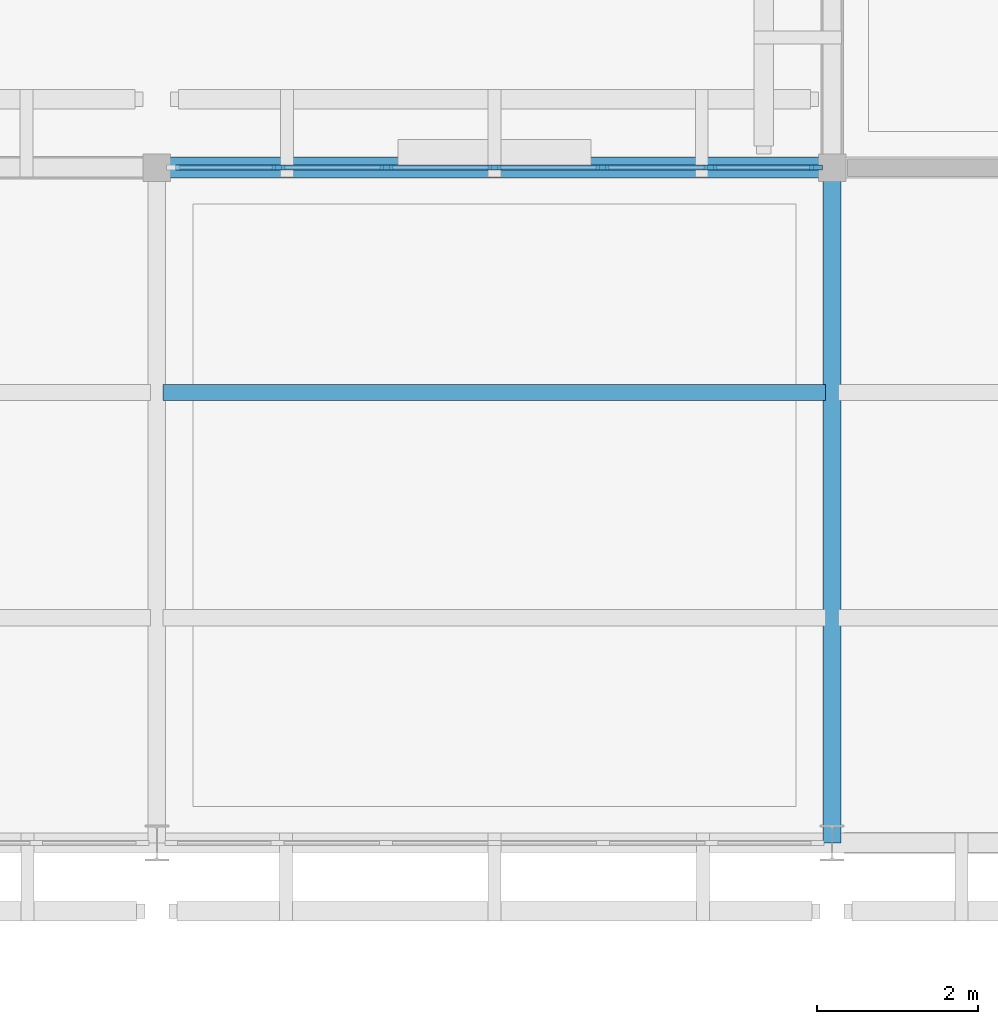
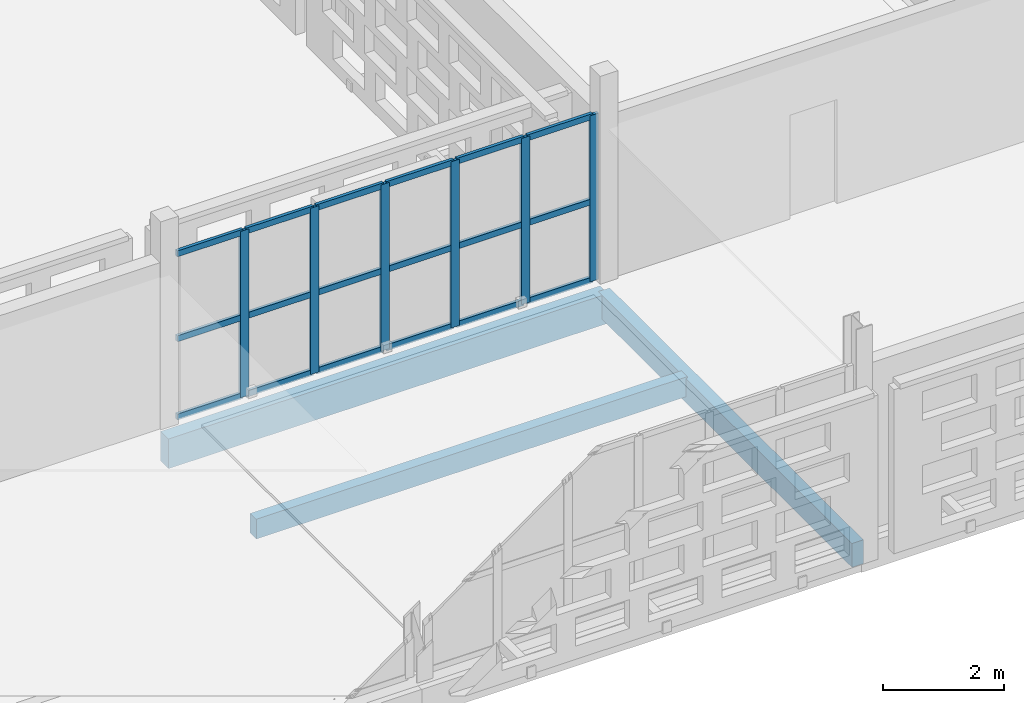
# One storey, part 57 of 140: 24 members, 3 beams, 1 element without a shape of its own.
"""IFC4 building model written with IfcOpenShell, lengths in metres."""

from ifc_helpers import new_model, si_unit, direction, frame, origin, origin_2d, place, context, subcontext, project, spatial, rectangle, extrude, material, layer, layer_set, material_profile, profile_set, type_object, element, aggregate, save


model = new_model("IFC4")

# Units and contexts
model_context = context("Model", 3, precision=1e-05, world=origin(), true_north=direction((0.0, 1.0)))
body_context = subcontext(model_context, "Body", "Model", "MODEL_VIEW")
ifc_project = project(units=[si_unit("LENGTHUNIT", "METRE"), si_unit("AREAUNIT", "SQUARE_METRE"), si_unit("VOLUMEUNIT", "CUBIC_METRE"), si_unit("PLANEANGLEUNIT", "RADIAN"), si_unit("MASSUNIT", "GRAM", prefix="KILO")], contexts=[model_context])

# Site, building, storey
site_placement = place(None, origin())
site = spatial("IfcSite", under=ifc_project, at=site_placement, CompositionType="ELEMENT")
building_placement = place(site_placement, origin())
building = spatial("IfcBuilding", under=site, at=building_placement, Name="Varnapada Polytechnic", CompositionType="ELEMENT")
storey_placement = place(building_placement, frame((0.0, 0.0, 13.800048828125)))
storey = spatial("IfcBuildingStorey", under=building, at=storey_placement, Name="L03", CompositionType="ELEMENT", Elevation=13.800048828125)

# Beam
ifc_material_1 = material(Name="Glulam GL32h", Category="wood")
ifc_material_profile_1 = material_profile(ifc_material_1, rectangle(XDim=0.199951171875, YDim=0.39990234375, at=origin_2d()), Name="GL 200x400")
ifc_profile_set_1 = profile_set([ifc_material_profile_1], Name="Glulam GL32h")
beam_type_1 = type_object("IfcBeamType", Name="Library/laboratory glulam floor joist GJ-01 (GL 200x400)", PredefinedType="JOIST", material=ifc_profile_set_1)
beam_1_placement = place(storey_placement, frame((117.679931640625, 89.60009765625, -0.43994140625), z_axis=(1.0, 0.0, 0.0), x_axis=(0.0, 1.0, 0.0)))
element("IfcBeam", 1, at=beam_1_placement, inside=storey, type_object=beam_type_1, Name="L03 floor joist 15/11.2", PredefinedType="JOIST", context=body_context, shape_type="SweptSolid", body=[
    extrude(rectangle(XDim=0.199951171875, YDim=0.39990234375, at=origin_2d()), origin(), (0.0, 0.0, 1.0), 8.239990234375),
])

# Curtain wall, members
ifc_material_2 = material(Name="Double low-E laminated glass", Category="glass")
ifc_layer = layer(ifc_material_2, 0.159912109375)
ifc_layer_set = layer_set([ifc_layer], Name="Double low-E laminated glass")
curtain_wall_type = type_object("IfcCurtainWallType", Name="Curtain Wall CW-02", PredefinedType="NOTDEFINED", material=ifc_layer_set)
curtain_wall_placement = place(storey_placement, origin())
curtain_wall = element("IfcCurtainWall", 2, at=curtain_wall_placement, inside=storey, type_object=curtain_wall_type, Name="L03 unitised curtain wall CW-02 (245)", PredefinedType="NOTDEFINED")
ifc_material_3 = material(Name="Anodised aluminium", Category="aluminium")
ifc_material_profile_2 = material_profile(ifc_material_3, rectangle(XDim=0.06005859375, YDim=0.159912109375, at=origin_2d()), Name="ALU M60x160")
ifc_profile_set_2 = profile_set([ifc_material_profile_2], Name="Anodised aluminium")
member_type_1 = type_object("IfcMemberType", Name="Mullion M-01", PredefinedType="MULLION", material=ifc_profile_set_2)
member_1_placement = place(storey_placement, frame((119.11328125, 92.39990234375, 0.0), z_axis=(0.0, 0.0, 1.0), x_axis=(0.0, 1.0, 0.0)))
member_1 = element("IfcMember", 3, at=member_1_placement, type_object=member_type_1, Name="CW-02 mullion 2", PredefinedType="MULLION", context=body_context, shape_type="SweptSolid", body=[
    extrude(rectangle(XDim=0.06005859375, YDim=0.159912109375, at=origin_2d()), origin(), (0.0, 0.0, 1.0), 3.35986328125),
])
member_2_placement = place(storey_placement, frame((120.456787109375, 92.39990234375, 0.0), z_axis=(0.0, 0.0, 1.0), x_axis=(0.0, 1.0, 0.0)))
member_2 = element("IfcMember", 4, at=member_2_placement, type_object=member_type_1, Name="CW-02 mullion 3", PredefinedType="MULLION", context=body_context, shape_type="SweptSolid", body=[
    extrude(rectangle(XDim=0.06005859375, YDim=0.159912109375, at=origin_2d()), origin(), (0.0, 0.0, 1.0), 3.35986328125),
])
member_3_placement = place(storey_placement, frame((121.800048828125, 92.39990234375, 0.0), z_axis=(0.0, 0.0, 1.0), x_axis=(0.0, 1.0, 0.0)))
member_3 = element("IfcMember", 5, at=member_3_placement, type_object=member_type_1, Name="CW-02 mullion 4", PredefinedType="MULLION", context=body_context, shape_type="SweptSolid", body=[
    extrude(rectangle(XDim=0.06005859375, YDim=0.159912109375, at=origin_2d()), origin(), (0.0, 0.0, 1.0), 3.35986328125),
])
member_4_placement = place(storey_placement, frame((123.143310546875, 92.39990234375, 0.0), z_axis=(0.0, 0.0, 1.0), x_axis=(0.0, 1.0, 0.0)))
member_4 = element("IfcMember", 6, at=member_4_placement, type_object=member_type_1, Name="CW-02 mullion 5", PredefinedType="MULLION", context=body_context, shape_type="SweptSolid", body=[
    extrude(rectangle(XDim=0.06005859375, YDim=0.159912109375, at=origin_2d()), origin(), (0.0, 0.0, 1.0), 3.35986328125),
])
member_5_placement = place(storey_placement, frame((124.486572265625, 92.39990234375, 0.0), z_axis=(0.0, 0.0, 1.0), x_axis=(0.0, 1.0, 0.0)))
member_5 = element("IfcMember", 7, at=member_5_placement, type_object=member_type_1, Name="CW-02 mullion 6", PredefinedType="MULLION", context=body_context, shape_type="SweptSolid", body=[
    extrude(rectangle(XDim=0.06005859375, YDim=0.159912109375, at=origin_2d()), origin(), (0.0, 0.0, 1.0), 3.35986328125),
])
member_6_placement = place(storey_placement, frame((125.800048828125, 92.39990234375, 0.0), z_axis=(0.0, 0.0, 1.0), x_axis=(0.0, 1.0, 0.0)))
member_6 = element("IfcMember", 8, at=member_6_placement, type_object=member_type_1, Name="CW-02 mullion 7", PredefinedType="MULLION", context=body_context, shape_type="SweptSolid", body=[
    extrude(rectangle(XDim=0.06005859375, YDim=0.159912109375, at=origin_2d()), origin(), (0.0, 0.0, 1.0), 3.35986328125),
])

# Beam
ifc_material_profile_3 = material_profile(ifc_material_1, rectangle(XDim=0.260009765625, YDim=0.60009765625, at=origin_2d()), Name="GL 260x600")
ifc_profile_set_3 = profile_set([ifc_material_profile_3], Name="Glulam GL32h")
beam_type_2 = type_object("IfcBeamType", Name="Seminar wing glulam girder GG-05 (GL 260x600)", PredefinedType="BEAM", material=ifc_profile_set_3)
beam_2_placement = place(storey_placement, frame((117.60009765625, 92.39990234375, -0.570068359375), z_axis=(1.0, 0.0, 0.0), x_axis=(0.0, 1.0, 0.0)))
element("IfcBeam", 9, at=beam_2_placement, inside=storey, type_object=beam_type_2, Name="L03 beam X 15-16 at Y12", PredefinedType="BEAM", context=body_context, shape_type="SweptSolid", body=[
    extrude(rectangle(XDim=0.260009765625, YDim=0.60009765625, at=origin_2d()), origin(), (0.0, 0.0, 1.0), 8.39990234375),
])

# Member
ifc_material_profile_4 = material_profile(ifc_material_3, rectangle(XDim=0.06005859375, YDim=0.1201171875, at=origin_2d()), Name="ALU T60x120")
ifc_profile_set_4 = profile_set([ifc_material_profile_4], Name="Anodised aluminium")
member_type_2 = type_object("IfcMemberType", Name="Transom T-01", PredefinedType="USERDEFINED", material=ifc_profile_set_4)
member_7_placement = place(storey_placement, frame((117.830078125, 92.39990234375, 0.030029296875), z_axis=(1.0, 0.0, 0.0), x_axis=(0.0, 1.0, 0.0)))
member_7 = element("IfcMember", 10, at=member_7_placement, type_object=member_type_2, Name="CW-02 transom 1.1", ObjectType="TRANSOM", PredefinedType="USERDEFINED", context=body_context, shape_type="SweptSolid", body=[
    extrude(rectangle(XDim=0.06005859375, YDim=0.1201171875, at=origin_2d()), origin(), (0.0, 0.0, 1.0), 1.253173828125),
])

member_8_placement = place(storey_placement, frame((117.830078125, 92.39990234375, 1.61279296875), z_axis=(1.0, 0.0, 0.0), x_axis=(0.0, 1.0, 0.0)))
member_8 = element("IfcMember", 11, at=member_8_placement, type_object=member_type_2, Name="CW-02 transom 1.2", ObjectType="TRANSOM", PredefinedType="USERDEFINED", context=body_context, shape_type="SweptSolid", body=[
    extrude(rectangle(XDim=0.06005859375, YDim=0.1201171875, at=origin_2d()), origin(), (0.0, 0.0, 1.0), 1.253173828125),
])

member_9_placement = place(storey_placement, frame((117.830078125, 92.39990234375, 3.329833984375), z_axis=(1.0, 0.0, 0.0), x_axis=(0.0, 1.0, 0.0)))
member_9 = element("IfcMember", 12, at=member_9_placement, type_object=member_type_2, Name="CW-02 transom 1.3", ObjectType="TRANSOM", PredefinedType="USERDEFINED", context=body_context, shape_type="SweptSolid", body=[
    extrude(rectangle(XDim=0.06005859375, YDim=0.1201171875, at=origin_2d()), origin(), (0.0, 0.0, 1.0), 1.253173828125),
])

member_10_placement = place(storey_placement, frame((119.143310546875, 92.39990234375, 0.030029296875), z_axis=(1.0, 0.0, 0.0), x_axis=(0.0, 1.0, 0.0)))
member_10 = element("IfcMember", 13, at=member_10_placement, type_object=member_type_2, Name="CW-02 transom 2.1", ObjectType="TRANSOM", PredefinedType="USERDEFINED", context=body_context, shape_type="SweptSolid", body=[
    extrude(rectangle(XDim=0.06005859375, YDim=0.1201171875, at=origin_2d()), origin(), (0.0, 0.0, 1.0), 1.283447265625),
])

member_11_placement = place(storey_placement, frame((119.143310546875, 92.39990234375, 1.61279296875), z_axis=(1.0, 0.0, 0.0), x_axis=(0.0, 1.0, 0.0)))
member_11 = element("IfcMember", 14, at=member_11_placement, type_object=member_type_2, Name="CW-02 transom 2.2", ObjectType="TRANSOM", PredefinedType="USERDEFINED", context=body_context, shape_type="SweptSolid", body=[
    extrude(rectangle(XDim=0.06005859375, YDim=0.1201171875, at=origin_2d()), origin(), (0.0, 0.0, 1.0), 1.283447265625),
])

member_12_placement = place(storey_placement, frame((119.143310546875, 92.39990234375, 3.329833984375), z_axis=(1.0, 0.0, 0.0), x_axis=(0.0, 1.0, 0.0)))
member_12 = element("IfcMember", 15, at=member_12_placement, type_object=member_type_2, Name="CW-02 transom 2.3", ObjectType="TRANSOM", PredefinedType="USERDEFINED", context=body_context, shape_type="SweptSolid", body=[
    extrude(rectangle(XDim=0.06005859375, YDim=0.1201171875, at=origin_2d()), origin(), (0.0, 0.0, 1.0), 1.283447265625),
])

member_13_placement = place(storey_placement, frame((120.486572265625, 92.39990234375, 0.030029296875), z_axis=(1.0, 0.0, 0.0), x_axis=(0.0, 1.0, 0.0)))
member_13 = element("IfcMember", 16, at=member_13_placement, type_object=member_type_2, Name="CW-02 transom 3.1", ObjectType="TRANSOM", PredefinedType="USERDEFINED", context=body_context, shape_type="SweptSolid", body=[
    extrude(rectangle(XDim=0.06005859375, YDim=0.1201171875, at=origin_2d()), origin(), (0.0, 0.0, 1.0), 1.283447265625),
])

member_14_placement = place(storey_placement, frame((120.486572265625, 92.39990234375, 1.61279296875), z_axis=(1.0, 0.0, 0.0), x_axis=(0.0, 1.0, 0.0)))
member_14 = element("IfcMember", 17, at=member_14_placement, type_object=member_type_2, Name="CW-02 transom 3.2", ObjectType="TRANSOM", PredefinedType="USERDEFINED", context=body_context, shape_type="SweptSolid", body=[
    extrude(rectangle(XDim=0.06005859375, YDim=0.1201171875, at=origin_2d()), origin(), (0.0, 0.0, 1.0), 1.283447265625),
])

member_15_placement = place(storey_placement, frame((120.486572265625, 92.39990234375, 3.329833984375), z_axis=(1.0, 0.0, 0.0), x_axis=(0.0, 1.0, 0.0)))
member_15 = element("IfcMember", 18, at=member_15_placement, type_object=member_type_2, Name="CW-02 transom 3.3", ObjectType="TRANSOM", PredefinedType="USERDEFINED", context=body_context, shape_type="SweptSolid", body=[
    extrude(rectangle(XDim=0.06005859375, YDim=0.1201171875, at=origin_2d()), origin(), (0.0, 0.0, 1.0), 1.283447265625),
])

member_16_placement = place(storey_placement, frame((121.830078125, 92.39990234375, 0.030029296875), z_axis=(1.0, 0.0, 0.0), x_axis=(0.0, 1.0, 0.0)))
member_16 = element("IfcMember", 19, at=member_16_placement, type_object=member_type_2, Name="CW-02 transom 4.1", ObjectType="TRANSOM", PredefinedType="USERDEFINED", context=body_context, shape_type="SweptSolid", body=[
    extrude(rectangle(XDim=0.06005859375, YDim=0.1201171875, at=origin_2d()), origin(), (0.0, 0.0, 1.0), 1.283203125),
])

member_17_placement = place(storey_placement, frame((121.830078125, 92.39990234375, 1.61279296875), z_axis=(1.0, 0.0, 0.0), x_axis=(0.0, 1.0, 0.0)))
member_17 = element("IfcMember", 20, at=member_17_placement, type_object=member_type_2, Name="CW-02 transom 4.2", ObjectType="TRANSOM", PredefinedType="USERDEFINED", context=body_context, shape_type="SweptSolid", body=[
    extrude(rectangle(XDim=0.06005859375, YDim=0.1201171875, at=origin_2d()), origin(), (0.0, 0.0, 1.0), 1.283203125),
])

member_18_placement = place(storey_placement, frame((121.830078125, 92.39990234375, 3.329833984375), z_axis=(1.0, 0.0, 0.0), x_axis=(0.0, 1.0, 0.0)))
member_18 = element("IfcMember", 21, at=member_18_placement, type_object=member_type_2, Name="CW-02 transom 4.3", ObjectType="TRANSOM", PredefinedType="USERDEFINED", context=body_context, shape_type="SweptSolid", body=[
    extrude(rectangle(XDim=0.06005859375, YDim=0.1201171875, at=origin_2d()), origin(), (0.0, 0.0, 1.0), 1.283203125),
])

member_19_placement = place(storey_placement, frame((123.17333984375, 92.39990234375, 0.030029296875), z_axis=(1.0, 0.0, 0.0), x_axis=(0.0, 1.0, 0.0)))
member_19 = element("IfcMember", 22, at=member_19_placement, type_object=member_type_2, Name="CW-02 transom 5.1", ObjectType="TRANSOM", PredefinedType="USERDEFINED", context=body_context, shape_type="SweptSolid", body=[
    extrude(rectangle(XDim=0.06005859375, YDim=0.1201171875, at=origin_2d()), origin(), (0.0, 0.0, 1.0), 1.283447265625),
])

member_20_placement = place(storey_placement, frame((123.17333984375, 92.39990234375, 1.61279296875), z_axis=(1.0, 0.0, 0.0), x_axis=(0.0, 1.0, 0.0)))
member_20 = element("IfcMember", 23, at=member_20_placement, type_object=member_type_2, Name="CW-02 transom 5.2", ObjectType="TRANSOM", PredefinedType="USERDEFINED", context=body_context, shape_type="SweptSolid", body=[
    extrude(rectangle(XDim=0.06005859375, YDim=0.1201171875, at=origin_2d()), origin(), (0.0, 0.0, 1.0), 1.283447265625),
])

member_21_placement = place(storey_placement, frame((123.17333984375, 92.39990234375, 3.329833984375), z_axis=(1.0, 0.0, 0.0), x_axis=(0.0, 1.0, 0.0)))
member_21 = element("IfcMember", 24, at=member_21_placement, type_object=member_type_2, Name="CW-02 transom 5.3", ObjectType="TRANSOM", PredefinedType="USERDEFINED", context=body_context, shape_type="SweptSolid", body=[
    extrude(rectangle(XDim=0.06005859375, YDim=0.1201171875, at=origin_2d()), origin(), (0.0, 0.0, 1.0), 1.283447265625),
])

member_22_placement = place(storey_placement, frame((124.5166015625, 92.39990234375, 0.030029296875), z_axis=(1.0, 0.0, 0.0), x_axis=(0.0, 1.0, 0.0)))
member_22 = element("IfcMember", 25, at=member_22_placement, type_object=member_type_2, Name="CW-02 transom 6.1", ObjectType="TRANSOM", PredefinedType="USERDEFINED", context=body_context, shape_type="SweptSolid", body=[
    extrude(rectangle(XDim=0.06005859375, YDim=0.1201171875, at=origin_2d()), origin(), (0.0, 0.0, 1.0), 1.25341796875),
])

member_23_placement = place(storey_placement, frame((124.5166015625, 92.39990234375, 1.61279296875), z_axis=(1.0, 0.0, 0.0), x_axis=(0.0, 1.0, 0.0)))
member_23 = element("IfcMember", 26, at=member_23_placement, type_object=member_type_2, Name="CW-02 transom 6.2", ObjectType="TRANSOM", PredefinedType="USERDEFINED", context=body_context, shape_type="SweptSolid", body=[
    extrude(rectangle(XDim=0.06005859375, YDim=0.1201171875, at=origin_2d()), origin(), (0.0, 0.0, 1.0), 1.25341796875),
])

member_24_placement = place(storey_placement, frame((124.5166015625, 92.39990234375, 3.329833984375), z_axis=(1.0, 0.0, 0.0), x_axis=(0.0, 1.0, 0.0)))
member_24 = element("IfcMember", 27, at=member_24_placement, type_object=member_type_2, Name="CW-02 transom 6.3", ObjectType="TRANSOM", PredefinedType="USERDEFINED", context=body_context, shape_type="SweptSolid", body=[
    extrude(rectangle(XDim=0.06005859375, YDim=0.1201171875, at=origin_2d()), origin(), (0.0, 0.0, 1.0), 1.25341796875),
])

aggregate(curtain_wall, [member_1, member_2, member_3, member_4, member_5, member_6, member_7, member_8, member_9, member_10, member_11, member_12, member_13, member_14, member_15, member_16, member_17, member_18, member_19, member_20, member_21, member_22, member_23, member_24])

# Beam
ifc_material_profile_5 = material_profile(ifc_material_1, rectangle(XDim=0.219970703125, YDim=0.47998046875, at=origin_2d()), Name="GL 220x480")
ifc_profile_set_5 = profile_set([ifc_material_profile_5], Name="Glulam GL32h")
beam_type_3 = type_object("IfcBeamType", Name="Upper floor glulam tie beam GB-11 (GL 220x480)", PredefinedType="BEAM", material=ifc_profile_set_5)
beam_3_placement = place(storey_placement, frame((126.0, 84.0, -0.510009765625), z_axis=(0.0, 1.0, 0.0), x_axis=(-1.0, 0.0, 0.0)))
element("IfcBeam", 28, at=beam_3_placement, inside=storey, type_object=beam_type_3, Name="L03 beam Y 11-12 at X16", PredefinedType="BEAM", context=body_context, shape_type="SweptSolid", body=[
    extrude(rectangle(XDim=0.219970703125, YDim=0.47998046875, at=origin_2d()), origin(), (0.0, 0.0, 1.0), 8.39990234375),
])

save(model, "model.ifc")
